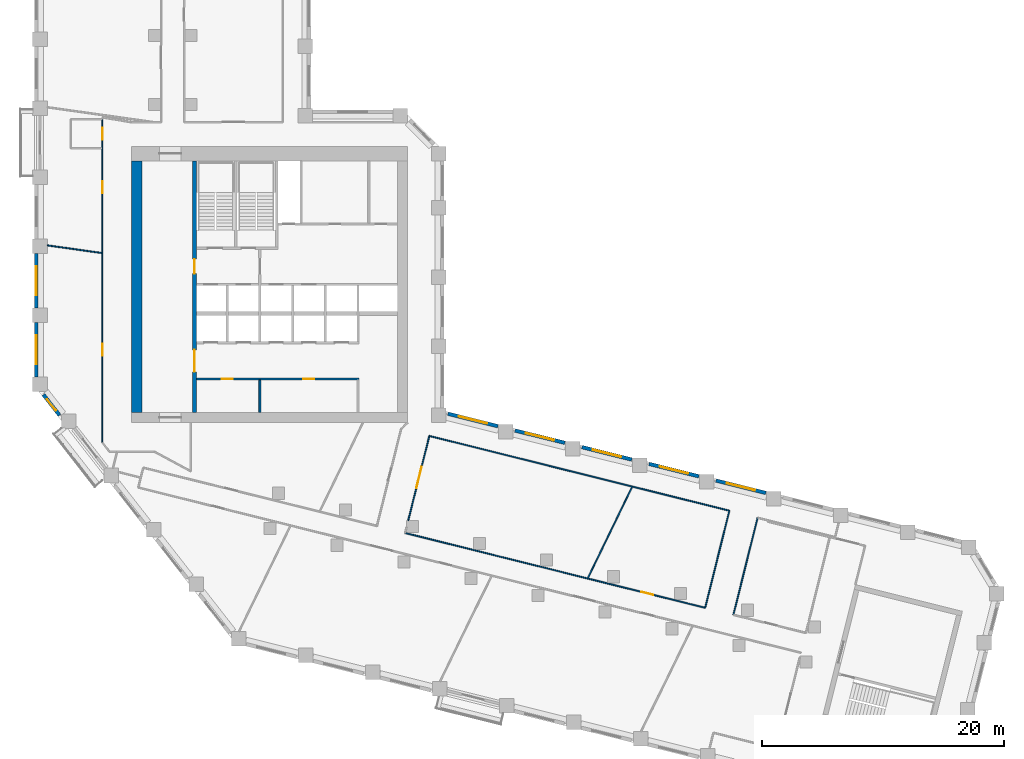
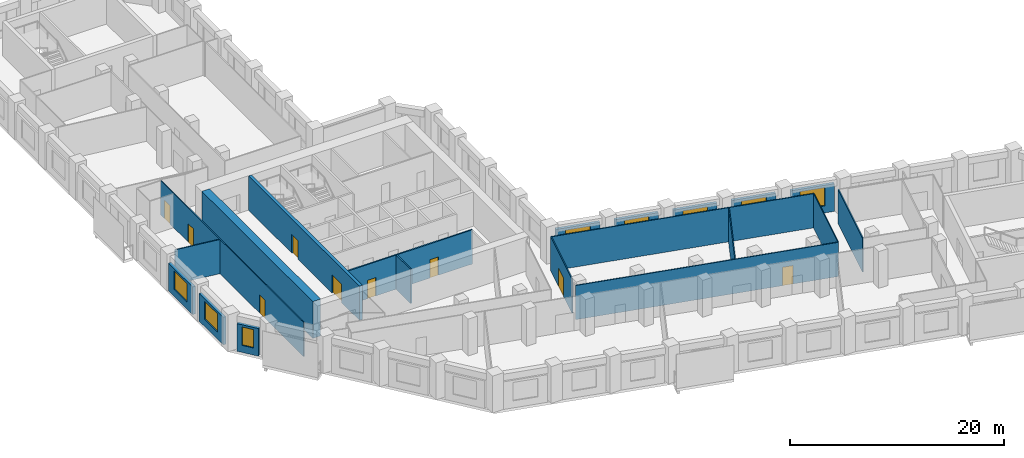
# One storey, part 4 of 10: 20 walls, 9 doors, 8 windows, 17 openings.
"""IFC4 building model written with IfcOpenShell, lengths in metres."""

import ifcopenshell
import ifcopenshell.guid

model = None  # the IFC model being written
_history = None  # IfcOwnerHistory: only IFC2X3 demands one
_inside = {}  # id of a spatial element -> (the spatial element, [elements in it])
_under = {}  # id of a project, library or spatial element -> (it, [spatial elements below it])
_declared = {}  # id of a project -> (the project, [libraries it declares])
_typed = {}  # id of a type object -> (the type object, [elements of that type])
_made_of = {}  # id of a material, layer set ... -> (it, [elements and type objects made of it])


def new_model(schema):
    """Start an empty IFC model of exactly this schema.

    Asked for "IFC4X3", IfcOpenShell would pick the latest addendum, in which some entities
    have other attributes; the version numbers below select the first issue.
    IFC2X3 requires an IfcOwnerHistory on every rooted entity: one is made here for all.
    """
    global model, _history
    if schema == "IFC4X3":
        model = ifcopenshell.file(schema_version=(4, 3, 0, 0))
    else:
        model = ifcopenshell.file(schema=schema)
    _inside.clear()
    _under.clear()
    _declared.clear()
    _typed.clear()
    _made_of.clear()
    _history = None
    if model.schema == "IFC2X3":
        org = make("IfcOrganization", Name="unknown")
        user = make(
            "IfcPersonAndOrganization",
            ThePerson=make("IfcPerson", FamilyName="unknown"),
            TheOrganization=org,
        )
        app = make(
            "IfcApplication",
            ApplicationDeveloper=org,
            Version="unknown",
            ApplicationFullName="unknown",
            ApplicationIdentifier="unknown",
        )
        _history = make(
            "IfcOwnerHistory",
            OwningUser=user,
            OwningApplication=app,
            ChangeAction="ADDED",
            CreationDate=0,
        )
    return model


def make(cls, **values):
    """One entity of the class cls with the attributes given. An attribute that is None is left unset."""
    return model.create_entity(
        cls, **{name: value for name, value in values.items() if value is not None}
    )


def rooted(cls, **values):
    """An entity with a GlobalId (a new one), such as an element, a storey or a relation."""
    return make(cls, GlobalId=ifcopenshell.guid.new(), OwnerHistory=_history, **values)


def si_unit(unit_type, name, prefix=None):
    """IfcSIUnit, for example si_unit("LENGTHUNIT", "METRE", prefix="MILLI")."""
    return make("IfcSIUnit", UnitType=unit_type, Prefix=prefix, Name=name)


def assignment(units):
    """IfcUnitAssignment: the units of a project."""
    return None if units is None else make("IfcUnitAssignment", Units=units)


def point(xyz):
    """IfcCartesianPoint."""
    return None if xyz is None else make("IfcCartesianPoint", Coordinates=xyz)


def direction(xyz):
    """IfcDirection."""
    return None if xyz is None else make("IfcDirection", DirectionRatios=xyz)


def frame(location, z_axis=None, x_axis=None):
    """IfcAxis2Placement3D, a coordinate frame: its origin and axes. An axis left out is left unset."""
    return make(
        "IfcAxis2Placement3D",
        Location=point(location),
        Axis=direction(z_axis),
        RefDirection=direction(x_axis),
    )


def frame_2d(location, x_axis=None):
    """IfcAxis2Placement2D, a coordinate frame in the plane: its origin and x axis."""
    return make(
        "IfcAxis2Placement2D", Location=point(location), RefDirection=direction(x_axis)
    )


def origin():
    """The frame at (0, 0, 0) with its axes left unset."""
    return frame((0.0, 0.0, 0.0))


def place(relative_to, where):
    """IfcLocalPlacement: puts the frame where relative to a parent placement (None: the world)."""
    return make(
        "IfcLocalPlacement", PlacementRelTo=relative_to, RelativePlacement=where
    )


def context(
    kind, dimensions, precision=None, world=None, true_north=None, identifier=None
):
    """IfcGeometricRepresentationContext, for example the 3D "Model" context."""
    return make(
        "IfcGeometricRepresentationContext",
        ContextIdentifier=identifier,
        ContextType=kind,
        CoordinateSpaceDimension=dimensions,
        Precision=precision,
        WorldCoordinateSystem=world,
        TrueNorth=true_north,
    )


def subcontext(parent, identifier, kind, view, scale=None):
    """IfcGeometricRepresentationSubContext, for example "Body" below "Model"."""
    return make(
        "IfcGeometricRepresentationSubContext",
        ContextIdentifier=identifier,
        ContextType=kind,
        ParentContext=parent,
        TargetScale=scale,
        TargetView=view,
    )


def project(units=None, contexts=None):
    """IfcProject with its units and contexts."""
    return rooted(
        "IfcProject",
        Name="project",
        RepresentationContexts=contexts,
        UnitsInContext=assignment(units),
    )


def spatial(cls, under=None, at=None, **own):
    """A site, building, storey or space (cls), placed at a placement, below another one or the project."""
    s = rooted(cls, ObjectPlacement=at, **own)
    if under is not None:
        _under.setdefault(under.id(), (under, []))[1].append(s)
    return s


def profile(cls, at=None, kind="AREA", **sizes):
    """A parametric profile (cls). Its sizes go by their IFC names, for example OverallWidth=200.0."""
    return make(cls, ProfileType=kind, Position=at, **sizes)


def rectangle(**sizes):
    """IfcRectangleProfileDef."""
    return profile("IfcRectangleProfileDef", **sizes)


def extrude(swept, where, along, depth):
    """IfcExtrudedAreaSolid: the profile swept, set in the frame where, extruded along a direction by depth."""
    return make(
        "IfcExtrudedAreaSolid",
        SweptArea=swept,
        Position=where,
        ExtrudedDirection=direction(along),
        Depth=depth,
    )


def shape(context_of_items, identifier, shape_type, items):
    """IfcShapeRepresentation: the items that make up one representation, for example the "Body"."""
    return make(
        "IfcShapeRepresentation",
        ContextOfItems=context_of_items,
        RepresentationIdentifier=identifier,
        RepresentationType=shape_type,
        Items=items,
    )


def material(Name=None, Category=None):
    """IfcMaterial."""
    return make("IfcMaterial", Name=Name, Category=Category)


def layer(
    of_material, thickness, ventilated=None, Name=None, Category=None, Priority=None
):
    """IfcMaterialLayer: one layer of a wall or slab, of a material (None: an air gap)."""
    return make(
        "IfcMaterialLayer",
        Material=of_material,
        LayerThickness=thickness,
        IsVentilated=ventilated,
        Name=Name,
        Category=Category,
        Priority=Priority,
    )


def layer_set(layers, Name=None):
    """IfcMaterialLayerSet."""
    return make("IfcMaterialLayerSet", MaterialLayers=layers, LayerSetName=Name)


def made_of(thing, what):
    """Note that an element or type object is made of a material, layer set ...; save() writes the relation."""
    if what is not None:
        _made_of.setdefault(what.id(), (what, []))[1].append(thing)
    return thing


def type_object(cls, material=None, **own):
    """A type object (cls), such as IfcWallType, which elements share."""
    return made_of(rooted(cls, **own), material)


def element(
    cls,
    number,
    at=None,
    inside=None,
    cuts=None,
    type_object=None,
    material=None,
    context=None,
    identifier="Body",
    shape_type=None,
    held_by="IfcProductDefinitionShape",
    body=None,
    shapes=None,
    **own,
):
    """One element of the class cls, such as IfcWall. Its Tag is "e" and its number.

    at: its placement. inside: the storey or other place that contains it. cuts: it is an
    opening in that element (IfcRelVoidsElement). A single representation is given by context,
    identifier, shape_type and body (its items); several are given by shapes. held_by: the class
    of the entity that holds the representations. save() writes the other relations.
    """
    e = rooted(cls, Tag="e%d" % number, ObjectPlacement=at, **own)
    if body is not None:
        shapes = [shape(context, identifier, shape_type, body)]
    if shapes is not None:
        e.Representation = make(held_by, Representations=shapes)
    if inside is not None:
        _inside.setdefault(inside.id(), (inside, []))[1].append(e)
    if cuts is not None:
        rooted(
            "IfcRelVoidsElement", RelatingBuildingElement=cuts, RelatedOpeningElement=e
        )
    if type_object is not None:
        _typed.setdefault(type_object.id(), (type_object, []))[1].append(e)
    return made_of(e, material)


def fill(opening, filler):
    """IfcRelFillsElement: the door or window that sits in an opening."""
    return rooted(
        "IfcRelFillsElement",
        RelatingOpeningElement=opening,
        RelatedBuildingElement=filler,
    )


def aggregate(whole, parts):
    """IfcRelAggregates: a whole, such as a stair, and the parts it consists of."""
    return rooted("IfcRelAggregates", RelatingObject=whole, RelatedObjects=parts)


def save(model, path):
    """Write the relations noted so far, then the file.

    IfcRelAggregates (storeys below a building ...), IfcRelContainedInSpatialStructure (elements
    in a storey), IfcRelDefinesByType, IfcRelAssociatesMaterial and IfcRelDeclares: one each for
    every whole, place, type object, material and project.
    """
    for whole, parts in _under.values():
        aggregate(whole, parts)
    for where, things in _inside.values():
        rooted(
            "IfcRelContainedInSpatialStructure",
            RelatedElements=things,
            RelatingStructure=where,
        )
    for kind, things in _typed.values():
        rooted("IfcRelDefinesByType", RelatedObjects=things, RelatingType=kind)
    for what, things in _made_of.values():
        rooted("IfcRelAssociatesMaterial", RelatedObjects=things, RelatingMaterial=what)
    for by, libraries in _declared.values():
        rooted("IfcRelDeclares", RelatingContext=by, RelatedDefinitions=libraries)
    model.write(path)


model = new_model("IFC4")

# Units and contexts
model_context = context("Model", 3, precision=1e-05, world=origin(), true_north=direction((0.0, 1.0)))
body_context = subcontext(model_context, "Body", "Model", "MODEL_VIEW")
ifc_project = project(units=[si_unit("LENGTHUNIT", "METRE"), si_unit("AREAUNIT", "SQUARE_METRE"), si_unit("VOLUMEUNIT", "CUBIC_METRE"), si_unit("PLANEANGLEUNIT", "RADIAN"), si_unit("MASSUNIT", "GRAM", prefix="KILO")], contexts=[model_context])

# Site, building, storey
site_placement = place(None, origin())
site = spatial("IfcSite", under=ifc_project, at=site_placement, CompositionType="ELEMENT")
building_placement = place(site_placement, origin())
building = spatial("IfcBuilding", under=site, at=building_placement, Name="Meshkara Civic Tower", CompositionType="ELEMENT")
storey_placement = place(building_placement, frame((0.0, 0.0, 190.800048828125)))
storey = spatial("IfcBuildingStorey", under=building, at=storey_placement, Name="L43", CompositionType="ELEMENT", Elevation=190.800048828125)

# Wall, openings, doors
ifc_material_1 = material(Name="Blockwork", Category="masonry")
ifc_layer_1 = layer(ifc_material_1, 0.14990234375)
ifc_layer_set_1 = layer_set([ifc_layer_1], Name="Core partition 150")
wall_type_1 = type_object("IfcWallType", Name="Core partition 150", PredefinedType="PARTITIONING", material=ifc_layer_set_1)
wall_1_placement = place(storey_placement, frame((13.3701171875, 17.699951171875, 0.0), z_axis=(0.0, 0.0, 1.0), x_axis=(1.0, 0.0, 0.0)))
wall_1 = element("IfcWall", 1, at=wall_1_placement, inside=storey, type_object=wall_type_1, Name="L43-C005", PredefinedType="PARTITIONING", context=body_context, shape_type="SweptSolid", body=[
    extrude(rectangle(XDim=13.40478515625, YDim=0.14990234375, at=frame_2d((6.702392578125, 0.0))), origin(), (0.0, 0.0, 1.0), 3.89990234375),
])
opening_1_placement = place(wall_1_placement, frame((2.080078125, 0.0, 0.0)))
opening_1 = element("IfcOpeningElement", 2, at=opening_1_placement, cuts=wall_1, Name="Opening L43-K010", PredefinedType="OPENING", context=body_context, shape_type="SweptSolid", body=[
    extrude(rectangle(XDim=0.89990234375, YDim=2.10009765625, at=frame_2d((0.449951171875, 1.050048828125))), frame((0.0, 0.0849609375, 0.0), z_axis=(0.0, -1.0, 0.0), x_axis=(1.0, 0.0, 0.0)), (0.0, 0.0, 1.0), 0.169921875),
])
opening_2_placement = place(wall_1_placement, frame((8.830078125, 0.0, 0.0)))
opening_2 = element("IfcOpeningElement", 3, at=opening_2_placement, cuts=wall_1, Name="Opening L43-K011", PredefinedType="OPENING", context=body_context, shape_type="SweptSolid", body=[
    extrude(rectangle(XDim=0.89990234375, YDim=2.10009765625, at=frame_2d((0.449951171875, 1.050048828125))), frame((0.0, 0.0849609375, 0.0), z_axis=(0.0, -1.0, 0.0), x_axis=(1.0, 0.0, 0.0)), (0.0, 0.0, 1.0), 0.169921875),
])
ifc_material_2 = material(Name="Timber door leaf in steel frame", Category="steel")
door_type_1 = type_object("IfcDoorType", Name="Core room door 900", OperationType="SINGLE_SWING_LEFT", PredefinedType="DOOR", material=ifc_material_2)
door_1_placement = place(opening_1_placement, origin())
door_1 = element("IfcDoor", 4, at=door_1_placement, inside=storey, type_object=door_type_1, Name="L43-K010", OperationType="SINGLE_SWING_LEFT", OverallHeight=2.10009765625, OverallWidth=0.89990234375, PredefinedType="DOOR", context=body_context, shape_type="SweptSolid", body=[
    extrude(rectangle(XDim=0.89990234375, YDim=2.10009765625, at=frame_2d((0.449951171875, 1.050048828125))), frame((0.0, 0.02490234375, 0.0), z_axis=(0.0, -1.0, 0.0), x_axis=(1.0, 0.0, 0.0)), (0.0, 0.0, 1.0), 0.050048828125),
])
fill(opening_1, door_1)
door_2_placement = place(opening_2_placement, origin())
door_2 = element("IfcDoor", 5, at=door_2_placement, inside=storey, type_object=door_type_1, Name="L43-K011", OperationType="SINGLE_SWING_LEFT", OverallHeight=2.10009765625, OverallWidth=0.89990234375, PredefinedType="DOOR", context=body_context, shape_type="SweptSolid", body=[
    extrude(rectangle(XDim=0.89990234375, YDim=2.10009765625, at=frame_2d((0.449951171875, 1.050048828125))), frame((0.0, 0.02490234375, 0.0), z_axis=(0.0, -1.0, 0.0), x_axis=(1.0, 0.0, 0.0)), (0.0, 0.0, 1.0), 0.050048828125),
])
fill(opening_2, door_2)

# Walls
wall_2_placement = place(storey_placement, frame((18.60009765625, 14.949951171875, 0.0), z_axis=(0.0, 0.0, 1.0), x_axis=(0.0, 1.0, 0.0)))
element("IfcWall", 6, at=wall_2_placement, inside=storey, type_object=wall_type_1, Name="L43-C014", PredefinedType="PARTITIONING", context=body_context, shape_type="SweptSolid", body=[
    extrude(rectangle(XDim=2.675048828125, YDim=0.14990234375, at=frame_2d((1.33740234375, 0.0))), origin(), (0.0, 0.0, 1.0), 3.89990234375),
])
ifc_material_3 = material(Name="Concrete C70", Category="concrete")
ifc_layer_2 = layer(ifc_material_3, 0.85009765625)
ifc_layer_set_2 = layer_set([ifc_layer_2], Name="Core ring wall 850 C70")
wall_type_2 = type_object("IfcWallType", Name="Core ring wall 850 C70", PredefinedType="SHEAR", material=ifc_layer_set_2)
wall_3_placement = place(storey_placement, frame((8.425048828125, 14.949951171875, -0.300048828125), z_axis=(0.0, 0.0, 1.0), x_axis=(0.0, 1.0, 0.0)))
element("IfcWall", 7, at=wall_3_placement, inside=storey, type_object=wall_type_2, Name="L43-C003", PredefinedType="SHEAR", context=body_context, shape_type="SweptSolid", body=[
    extrude(rectangle(XDim=20.75, YDim=0.85009765625, at=frame_2d((10.375, 0.0))), origin(), (0.0, 0.0, 1.0), 4.199951171875),
])

# Wall, openings, doors
ifc_material_4 = material(Name="Concrete C70", Category="concrete")
ifc_layer_3 = layer(ifc_material_4, 0.340087890625)
ifc_layer_set_3 = layer_set([ifc_layer_3], Name="Core shear wall 340 C70")
wall_type_3 = type_object("IfcWallType", Name="Core shear wall 340 C70", PredefinedType="SHEAR", material=ifc_layer_set_3)
wall_4_placement = place(storey_placement, frame((13.199951171875, 14.949951171875, 0.0), z_axis=(0.0, 0.0, 1.0), x_axis=(0.0, 1.0, 0.0)))
wall_4 = element("IfcWall", 8, at=wall_4_placement, inside=storey, type_object=wall_type_3, Name="L43-C011", PredefinedType="SHEAR", context=body_context, shape_type="SweptSolid", body=[
    extrude(rectangle(XDim=20.75, YDim=0.340087890625, at=frame_2d((10.375, 0.0))), origin(), (0.0, 0.0, 1.0), 3.89990234375),
])
opening_3_placement = place(wall_4_placement, frame((3.35009765625, 0.0, 0.0)))
opening_3 = element("IfcOpeningElement", 9, at=opening_3_placement, cuts=wall_4, Name="Opening L43-K017", PredefinedType="OPENING", context=body_context, shape_type="SweptSolid", body=[
    extrude(rectangle(XDim=1.800048828125, YDim=2.10009765625, at=frame_2d((0.89990234375, 1.050048828125))), frame((0.0, 0.179931640625, 0.0), z_axis=(0.0, -1.0, 0.0), x_axis=(1.0, 0.0, 0.0)), (0.0, 0.0, 1.0), 0.360107421875),
])
opening_4_placement = place(wall_4_placement, frame((11.449951171875, 0.0, 0.0)))
opening_4 = element("IfcOpeningElement", 10, at=opening_4_placement, cuts=wall_4, Name="Opening L43-K018", PredefinedType="OPENING", context=body_context, shape_type="SweptSolid", body=[
    extrude(rectangle(XDim=1.199951171875, YDim=2.10009765625, at=frame_2d((0.60009765625, 1.050048828125))), frame((0.0, 0.179931640625, 0.0), z_axis=(0.0, -1.0, 0.0), x_axis=(1.0, 0.0, 0.0)), (0.0, 0.0, 1.0), 0.360107421875),
])
ifc_material_5 = material(Name="Fire-rated door leaf in steel frame", Category="steel")
door_type_2 = type_object("IfcDoorType", Name="Core double door 1800 EI 60", OperationType="DOUBLE_DOOR_SINGLE_SWING", PredefinedType="DOOR", material=ifc_material_5)
door_3_placement = place(opening_3_placement, origin())
door_3 = element("IfcDoor", 11, at=door_3_placement, inside=storey, type_object=door_type_2, Name="L43-K017", OperationType="DOUBLE_DOOR_SINGLE_SWING", OverallHeight=2.10009765625, OverallWidth=1.800048828125, PredefinedType="DOOR", context=body_context, shape_type="SweptSolid", body=[
    extrude(rectangle(XDim=1.800048828125, YDim=2.10009765625, at=frame_2d((0.89990234375, 1.050048828125))), frame((0.0, 0.02490234375, 0.0), z_axis=(0.0, -1.0, 0.0), x_axis=(1.0, 0.0, 0.0)), (0.0, 0.0, 1.0), 0.050048828125),
])
fill(opening_3, door_3)
ifc_material_6 = material(Name="Fire-rated door leaf in steel frame", Category="steel")
door_type_3 = type_object("IfcDoorType", Name="Fire-fighting lobby door 1200 EI 120", OperationType="SINGLE_SWING_LEFT", PredefinedType="DOOR", material=ifc_material_6)
door_4_placement = place(opening_4_placement, origin())
door_4 = element("IfcDoor", 12, at=door_4_placement, inside=storey, type_object=door_type_3, Name="L43-K018", OperationType="SINGLE_SWING_LEFT", OverallHeight=2.10009765625, OverallWidth=1.199951171875, PredefinedType="DOOR", context=body_context, shape_type="SweptSolid", body=[
    extrude(rectangle(XDim=1.199951171875, YDim=2.10009765625, at=frame_2d((0.60009765625, 1.050048828125))), frame((0.0, 0.02490234375, 0.0), z_axis=(0.0, -1.0, 0.0), x_axis=(1.0, 0.0, 0.0)), (0.0, 0.0, 1.0), 0.050048828125),
])
fill(opening_4, door_4)

ifc_material_7 = material(Name="Corridor wall 100")
ifc_layer_4 = layer(ifc_material_7, 0.10009765625)
ifc_layer_set_4 = layer_set([ifc_layer_4], Name="Corridor wall 100")
wall_type_4 = type_object("IfcWallType", Name="Corridor wall 100", PredefinedType="PARTITIONING", material=ifc_layer_set_4)
wall_5_placement = place(storey_placement, frame((5.60009765625, 12.450927734375, 0.0), z_axis=(0.0, 0.0, 1.0), x_axis=(0.0, 1.0, 0.0)))
wall_5 = element("IfcWall", 13, at=wall_5_placement, inside=storey, type_object=wall_type_4, Name="L43-W003", PredefinedType="PARTITIONING", context=body_context, shape_type="SweptSolid", body=[
    extrude(rectangle(XDim=26.698974609375, YDim=0.10009765625, at=frame_2d((13.349609375, 0.0))), origin(), (0.0, 0.0, 1.0), 3.89990234375),
])
opening_5_placement = place(wall_5_placement, frame((7.169921875, 0.0, 0.0)))
opening_5 = element("IfcOpeningElement", 14, at=opening_5_placement, cuts=wall_5, Name="Opening L43-D014", PredefinedType="OPENING", context=body_context, shape_type="SweptSolid", body=[
    extrude(rectangle(XDim=1.0, YDim=2.10009765625, at=frame_2d((0.5, 1.050048828125))), frame((0.0, 0.06005859375, 0.0), z_axis=(0.0, -1.0, 0.0), x_axis=(1.0, 0.0, 0.0)), (0.0, 0.0, 1.0), 0.1201171875),
])
opening_6_placement = place(wall_5_placement, frame((20.569091796875, 0.0, 0.0)))
opening_6 = element("IfcOpeningElement", 15, at=opening_6_placement, cuts=wall_5, Name="Opening L43-D015", PredefinedType="OPENING", context=body_context, shape_type="SweptSolid", body=[
    extrude(rectangle(XDim=1.0, YDim=2.10009765625, at=frame_2d((0.5, 1.050048828125))), frame((0.0, 0.06005859375, 0.0), z_axis=(0.0, -1.0, 0.0), x_axis=(1.0, 0.0, 0.0)), (0.0, 0.0, 1.0), 0.1201171875),
])
opening_7_placement = place(wall_5_placement, frame((24.97900390625, 0.0, 0.0)))
opening_7 = element("IfcOpeningElement", 16, at=opening_7_placement, cuts=wall_5, Name="Opening L43-D016", PredefinedType="OPENING", context=body_context, shape_type="SweptSolid", body=[
    extrude(rectangle(XDim=1.0, YDim=2.10009765625, at=frame_2d((0.5, 1.050048828125))), frame((0.0, 0.06005859375, 0.0), z_axis=(0.0, -1.0, 0.0), x_axis=(1.0, 0.0, 0.0)), (0.0, 0.0, 1.0), 0.1201171875),
])
ifc_material_8 = material(Name="Door 1000 x 2100")
door_type_4 = type_object("IfcDoorType", Name="Door 1000 x 2100", OperationType="SINGLE_SWING_LEFT", PredefinedType="DOOR", material=ifc_material_8)
door_5_placement = place(opening_5_placement, origin())
door_5 = element("IfcDoor", 17, at=door_5_placement, inside=storey, type_object=door_type_4, Name="L43-D014", OperationType="SINGLE_SWING_LEFT", OverallHeight=2.10009765625, OverallWidth=1.0, PredefinedType="DOOR", context=body_context, shape_type="SweptSolid", body=[
    extrude(rectangle(XDim=1.0, YDim=2.10009765625, at=frame_2d((0.5, 1.050048828125))), frame((0.0, 0.02490234375, 0.0), z_axis=(0.0, -1.0, 0.0), x_axis=(1.0, 0.0, 0.0)), (0.0, 0.0, 1.0), 0.050048828125),
])
fill(opening_5, door_5)
door_6_placement = place(opening_6_placement, origin())
door_6 = element("IfcDoor", 18, at=door_6_placement, inside=storey, type_object=door_type_4, Name="L43-D015", OperationType="SINGLE_SWING_LEFT", OverallHeight=2.10009765625, OverallWidth=1.0, PredefinedType="DOOR", context=body_context, shape_type="SweptSolid", body=[
    extrude(rectangle(XDim=1.0, YDim=2.10009765625, at=frame_2d((0.5, 1.050048828125))), frame((0.0, 0.02490234375, 0.0), z_axis=(0.0, -1.0, 0.0), x_axis=(1.0, 0.0, 0.0)), (0.0, 0.0, 1.0), 0.050048828125),
])
fill(opening_6, door_6)
door_7_placement = place(opening_7_placement, origin())
door_7 = element("IfcDoor", 19, at=door_7_placement, inside=storey, type_object=door_type_4, Name="L43-D016", OperationType="SINGLE_SWING_LEFT", OverallHeight=2.10009765625, OverallWidth=1.0, PredefinedType="DOOR", context=body_context, shape_type="SweptSolid", body=[
    extrude(rectangle(XDim=1.0, YDim=2.10009765625, at=frame_2d((0.5, 1.050048828125))), frame((0.0, 0.02490234375, 0.0), z_axis=(0.0, -1.0, 0.0), x_axis=(1.0, 0.0, 0.0)), (0.0, 0.0, 1.0), 0.050048828125),
])
fill(opening_7, door_7)

# Wall, opening, door
wall_6_placement = place(storey_placement, frame((30.590087890625, 4.991943359375, 0.0), z_axis=(0.0, 0.0, 1.0), x_axis=(0.97028916255, -0.241948219746, 0.0)))
wall_6 = element("IfcWall", 20, at=wall_6_placement, inside=storey, type_object=wall_type_4, Name="L43-W024", PredefinedType="PARTITIONING", context=body_context, shape_type="SweptSolid", body=[
    extrude(rectangle(XDim=25.526123046875, YDim=0.10009765625, at=frame_2d((12.76318359375, 0.0))), origin(), (0.0, 0.0, 1.0), 3.89990234375),
])
opening_8_placement = place(wall_6_placement, frame((20.10107421875, 0.0, 0.0)))
opening_8 = element("IfcOpeningElement", 21, at=opening_8_placement, cuts=wall_6, Name="Opening L43-D008", PredefinedType="OPENING", context=body_context, shape_type="SweptSolid", body=[
    extrude(rectangle(XDim=1.0, YDim=2.10009765625, at=frame_2d((0.5, 1.050048828125))), frame((0.0, 0.06005859375, 0.0), z_axis=(0.0, -1.0, 0.0), x_axis=(1.0, 0.0, 0.0)), (0.0, 0.0, 1.0), 0.1201171875),
])
door_8_placement = place(opening_8_placement, origin())
door_8 = element("IfcDoor", 22, at=door_8_placement, inside=storey, type_object=door_type_4, Name="L43-D008", OperationType="SINGLE_SWING_RIGHT", OverallHeight=2.10009765625, OverallWidth=1.0, PredefinedType="DOOR", context=body_context, shape_type="SweptSolid", body=[
    extrude(rectangle(XDim=1.0, YDim=2.10009765625, at=frame_2d((0.5, 1.050048828125))), frame((0.0, 0.02490234375, 0.0), z_axis=(0.0, -1.0, 0.0), x_axis=(1.0, 0.0, 0.0)), (0.0, 0.0, 1.0), 0.050048828125),
])
fill(opening_8, door_8)

wall_7_placement = place(storey_placement, frame((30.844970703125, 6.012939453125, 0.0), z_axis=(0.0, 0.0, 1.0), x_axis=(0.241969354343, 0.97028389225, 0.0)))
wall_7 = element("IfcWall", 23, at=wall_7_placement, inside=storey, type_object=wall_type_4, Name="L43-W027", PredefinedType="PARTITIONING", context=body_context, shape_type="SweptSolid", body=[
    extrude(rectangle(XDim=7.203125, YDim=0.10009765625, at=frame_2d((3.6015625, 0.0))), origin(), (0.0, 0.0, 1.0), 3.89990234375),
])
opening_9_placement = place(wall_7_placement, frame((2.780029296875, 0.0, 0.0)))
opening_9 = element("IfcOpeningElement", 24, at=opening_9_placement, cuts=wall_7, Name="Opening L43-D013", PredefinedType="OPENING", context=body_context, shape_type="SweptSolid", body=[
    extrude(rectangle(XDim=1.800048828125, YDim=2.10009765625, at=frame_2d((0.89990234375, 1.050048828125))), frame((0.0, 0.06005859375, 0.0), z_axis=(0.0, -1.0, 0.0), x_axis=(1.0, 0.0, 0.0)), (0.0, 0.0, 1.0), 0.1201171875),
])
ifc_material_9 = material(Name="Door pair 1800 x 2100")
door_type_5 = type_object("IfcDoorType", Name="Door pair 1800 x 2100", OperationType="SINGLE_SWING_LEFT", PredefinedType="DOOR", material=ifc_material_9)
door_9_placement = place(opening_9_placement, origin())
door_9 = element("IfcDoor", 25, at=door_9_placement, inside=storey, type_object=door_type_5, Name="L43-D013", OperationType="DOUBLE_DOOR_SINGLE_SWING", OverallHeight=2.10009765625, OverallWidth=1.800048828125, PredefinedType="DOOR", context=body_context, shape_type="SweptSolid", body=[
    extrude(rectangle(XDim=1.800048828125, YDim=2.10009765625, at=frame_2d((0.89990234375, 1.050048828125))), frame((0.0, 0.02490234375, 0.0), z_axis=(0.0, -1.0, 0.0), x_axis=(1.0, 0.0, 0.0)), (0.0, 0.0, 1.0), 0.050048828125),
])
fill(opening_9, door_9)

# Walls
wall_8_placement = place(storey_placement, frame((32.587890625, 13.001953125, 0.0), z_axis=(0.0, 0.0, 1.0), x_axis=(0.970296463981, -0.241918936808, 0.0)))
element("IfcWall", 26, at=wall_8_placement, inside=storey, type_object=wall_type_4, Name="L43-W028", PredefinedType="PARTITIONING", context=body_context, shape_type="SweptSolid", body=[
    extrude(rectangle(XDim=25.525390625, YDim=0.10009765625, at=frame_2d((12.7626953125, 0.0))), origin(), (0.0, 0.0, 1.0), 3.89990234375),
])
wall_9_placement = place(storey_placement, frame((57.35498046875, 6.826904296875, 0.0), z_axis=(0.0, 0.0, 1.0), x_axis=(-0.241888494143, -0.970304053584, 0.0)))
element("IfcWall", 27, at=wall_9_placement, inside=storey, type_object=wall_type_4, Name="L43-W029", PredefinedType="PARTITIONING", context=body_context, shape_type="SweptSolid", body=[
    extrude(rectangle(XDim=8.256103515625, YDim=0.10009765625, at=frame_2d((4.1279296875, 0.0))), origin(), (0.0, 0.0, 1.0), 3.89990234375),
])
wall_10_placement = place(storey_placement, frame((57.68701171875, -1.763916015625, 0.0), z_axis=(0.0, 0.0, 1.0), x_axis=(0.24191625886, 0.970297131656, 0.0)))
element("IfcWall", 28, at=wall_10_placement, inside=storey, type_object=wall_type_4, Name="L43-W030", PredefinedType="PARTITIONING", context=body_context, shape_type="SweptSolid", body=[
    extrude(rectangle(XDim=8.255126953125, YDim=0.10009765625, at=frame_2d((4.12744140625, 0.0))), origin(), (0.0, 0.0, 1.0), 3.89990234375),
])

# Wall, opening, window
ifc_material_10 = material(Name="Insulated infill panel with bronze anodised aluminium cladding", Category="aluminium")
ifc_layer_5 = layer(ifc_material_10, 0.300048828125)
ifc_layer_set_5 = layer_set([ifc_layer_5], Name="EXTERNAL INFILL WALL 300")
wall_type_5 = type_object("IfcWallType", Name="EXTERNAL INFILL WALL 300", PredefinedType="SOLIDWALL", material=ifc_layer_set_5)
wall_11_placement = place(storey_placement, frame((60.3701171875, 8.291015625, 0.0), z_axis=(0.0, 0.0, 1.0), x_axis=(-0.970291164166, 0.241940192487, 0.0)))
wall_11 = element("IfcWall", 29, at=wall_11_placement, inside=storey, type_object=wall_type_5, Name="External wall", PredefinedType="SOLIDWALL", context=body_context, shape_type="SweptSolid", body=[
    extrude(rectangle(XDim=4.245361328125, YDim=0.300048828125, at=frame_2d((2.12255859375, 0.0))), origin(), (0.0, 0.0, 1.0), 3.14990234375),
])
opening_10_placement = place(wall_11_placement, frame((0.922119140625, 0.0, 0.800048828125)))
opening_10 = element("IfcOpeningElement", 30, at=opening_10_placement, cuts=wall_11, Name="Opening W7", PredefinedType="OPENING", context=body_context, shape_type="SweptSolid", body=[
    extrude(rectangle(XDim=2.39990234375, YDim=2.10009765625, at=frame_2d((1.199951171875, 1.050048828125))), frame((0.0, 0.159912109375, 0.0), z_axis=(0.0, -1.0, 0.0), x_axis=(1.0, 0.0, 0.0)), (0.0, 0.0, 1.0), 0.320068359375),
])
ifc_material_11 = material(Name="Tinted double glazing", Category="glass")
window_type_1 = type_object("IfcWindowType", Name="WINDOW 2400x2100", PartitioningType="DOUBLE_PANEL_VERTICAL", PredefinedType="WINDOW", material=ifc_material_11)
window_1_placement = place(opening_10_placement, origin())
window_1 = element("IfcWindow", 31, at=window_1_placement, inside=storey, type_object=window_type_1, Name="Window", OverallHeight=2.10009765625, OverallWidth=2.39990234375, PartitioningType="DOUBLE_PANEL_VERTICAL", PredefinedType="WINDOW", context=body_context, shape_type="SweptSolid", body=[
    extrude(rectangle(XDim=2.39990234375, YDim=2.10009765625, at=frame_2d((1.199951171875, 1.050048828125))), frame((0.0, 0.030029296875, 0.0), z_axis=(0.0, -1.0, 0.0), x_axis=(1.0, 0.0, 0.0)), (0.0, 0.0, 1.0), 0.06005859375),
])
fill(opening_10, window_1)

wall_12_placement = place(storey_placement, frame((54.840087890625, 9.669921875, 0.0), z_axis=(0.0, 0.0, 1.0), x_axis=(-0.97030462482, 0.241886202691, 0.0)))
wall_12 = element("IfcWall", 32, at=wall_12_placement, inside=storey, type_object=wall_type_5, Name="External wall", PredefinedType="SOLIDWALL", context=body_context, shape_type="SweptSolid", body=[
    extrude(rectangle(XDim=4.24609375, YDim=0.300048828125, at=frame_2d((2.123046875, 0.0))), origin(), (0.0, 0.0, 1.0), 3.14990234375),
])
opening_11_placement = place(wall_12_placement, frame((0.923095703125, 0.0, 0.800048828125)))
opening_11 = element("IfcOpeningElement", 33, at=opening_11_placement, cuts=wall_12, Name="Opening W7", PredefinedType="OPENING", context=body_context, shape_type="SweptSolid", body=[
    extrude(rectangle(XDim=2.39990234375, YDim=2.10009765625, at=frame_2d((1.199951171875, 1.050048828125))), frame((0.0, 0.159912109375, 0.0), z_axis=(0.0, -1.0, 0.0), x_axis=(1.0, 0.0, 0.0)), (0.0, 0.0, 1.0), 0.320068359375),
])
window_2_placement = place(opening_11_placement, origin())
window_2 = element("IfcWindow", 34, at=window_2_placement, inside=storey, type_object=window_type_1, Name="Window", OverallHeight=2.10009765625, OverallWidth=2.39990234375, PartitioningType="DOUBLE_PANEL_VERTICAL", PredefinedType="WINDOW", context=body_context, shape_type="SweptSolid", body=[
    extrude(rectangle(XDim=2.39990234375, YDim=2.10009765625, at=frame_2d((1.199951171875, 1.050048828125))), frame((0.0, 0.030029296875, 0.0), z_axis=(0.0, -1.0, 0.0), x_axis=(1.0, 0.0, 0.0)), (0.0, 0.0, 1.0), 0.06005859375),
])
fill(opening_11, window_2)

wall_13_placement = place(storey_placement, frame((49.30908203125, 11.049072265625, 0.0), z_axis=(0.0, 0.0, 1.0), x_axis=(-0.970264129329, 0.242048588793, 0.0)))
wall_13 = element("IfcWall", 35, at=wall_13_placement, inside=storey, type_object=wall_type_5, Name="External wall", PredefinedType="SOLIDWALL", context=body_context, shape_type="SweptSolid", body=[
    extrude(rectangle(XDim=4.246337890625, YDim=0.300048828125, at=frame_2d((2.123046875, 0.0))), origin(), (0.0, 0.0, 1.0), 3.14990234375),
])
opening_12_placement = place(wall_13_placement, frame((0.923095703125, 0.0, 0.800048828125)))
opening_12 = element("IfcOpeningElement", 36, at=opening_12_placement, cuts=wall_13, Name="Opening W7", PredefinedType="OPENING", context=body_context, shape_type="SweptSolid", body=[
    extrude(rectangle(XDim=2.39990234375, YDim=2.10009765625, at=frame_2d((1.199951171875, 1.050048828125))), frame((0.0, 0.159912109375, 0.0), z_axis=(0.0, -1.0, 0.0), x_axis=(1.0, 0.0, 0.0)), (0.0, 0.0, 1.0), 0.320068359375),
])
window_3_placement = place(opening_12_placement, origin())
window_3 = element("IfcWindow", 37, at=window_3_placement, inside=storey, type_object=window_type_1, Name="Window", OverallHeight=2.10009765625, OverallWidth=2.39990234375, PartitioningType="DOUBLE_PANEL_VERTICAL", PredefinedType="WINDOW", context=body_context, shape_type="SweptSolid", body=[
    extrude(rectangle(XDim=2.39990234375, YDim=2.10009765625, at=frame_2d((1.199951171875, 1.050048828125))), frame((0.0, 0.030029296875, 0.0), z_axis=(0.0, -1.0, 0.0), x_axis=(1.0, 0.0, 0.0)), (0.0, 0.0, 1.0), 0.06005859375),
])
fill(opening_12, window_3)

wall_14_placement = place(storey_placement, frame((43.778076171875, 12.427978515625, 0.0), z_axis=(0.0, 0.0, 1.0), x_axis=(-0.970291164166, 0.241940192487, 0.0)))
wall_14 = element("IfcWall", 38, at=wall_14_placement, inside=storey, type_object=wall_type_5, Name="External wall", PredefinedType="SOLIDWALL", context=body_context, shape_type="SweptSolid", body=[
    extrude(rectangle(XDim=4.245361328125, YDim=0.300048828125, at=frame_2d((2.12255859375, 0.0))), origin(), (0.0, 0.0, 1.0), 3.14990234375),
])
opening_13_placement = place(wall_14_placement, frame((0.922119140625, 0.0, 0.800048828125)))
opening_13 = element("IfcOpeningElement", 39, at=opening_13_placement, cuts=wall_14, Name="Opening W7", PredefinedType="OPENING", context=body_context, shape_type="SweptSolid", body=[
    extrude(rectangle(XDim=2.39990234375, YDim=2.10009765625, at=frame_2d((1.199951171875, 1.050048828125))), frame((0.0, 0.159912109375, 0.0), z_axis=(0.0, -1.0, 0.0), x_axis=(1.0, 0.0, 0.0)), (0.0, 0.0, 1.0), 0.320068359375),
])
window_4_placement = place(opening_13_placement, origin())
window_4 = element("IfcWindow", 40, at=window_4_placement, inside=storey, type_object=window_type_1, Name="Window", OverallHeight=2.10009765625, OverallWidth=2.39990234375, PartitioningType="DOUBLE_PANEL_VERTICAL", PredefinedType="WINDOW", context=body_context, shape_type="SweptSolid", body=[
    extrude(rectangle(XDim=2.39990234375, YDim=2.10009765625, at=frame_2d((1.199951171875, 1.050048828125))), frame((0.0, 0.030029296875, 0.0), z_axis=(0.0, -1.0, 0.0), x_axis=(1.0, 0.0, 0.0)), (0.0, 0.0, 1.0), 0.06005859375),
])
fill(opening_13, window_4)

wall_15_placement = place(storey_placement, frame((38.248046875, 13.806884765625, 0.0), z_axis=(0.0, 0.0, 1.0), x_axis=(-0.970250625545, 0.242102712975, 0.0)))
wall_15 = element("IfcWall", 41, at=wall_15_placement, inside=storey, type_object=wall_type_5, Name="External wall", PredefinedType="SOLIDWALL", context=body_context, shape_type="SweptSolid", body=[
    extrude(rectangle(XDim=4.246337890625, YDim=0.300048828125, at=frame_2d((2.123046875, 0.0))), origin(), (0.0, 0.0, 1.0), 3.14990234375),
])
opening_14_placement = place(wall_15_placement, frame((0.923095703125, 0.0, 0.800048828125)))
opening_14 = element("IfcOpeningElement", 42, at=opening_14_placement, cuts=wall_15, Name="Opening W7", PredefinedType="OPENING", context=body_context, shape_type="SweptSolid", body=[
    extrude(rectangle(XDim=2.39990234375, YDim=2.10009765625, at=frame_2d((1.199951171875, 1.050048828125))), frame((0.0, 0.159912109375, 0.0), z_axis=(0.0, -1.0, 0.0), x_axis=(1.0, 0.0, 0.0)), (0.0, 0.0, 1.0), 0.320068359375),
])
window_5_placement = place(opening_14_placement, origin())
window_5 = element("IfcWindow", 43, at=window_5_placement, inside=storey, type_object=window_type_1, Name="Window", OverallHeight=2.10009765625, OverallWidth=2.39990234375, PartitioningType="DOUBLE_PANEL_VERTICAL", PredefinedType="WINDOW", context=body_context, shape_type="SweptSolid", body=[
    extrude(rectangle(XDim=2.39990234375, YDim=2.10009765625, at=frame_2d((1.199951171875, 1.050048828125))), frame((0.0, 0.030029296875, 0.0), z_axis=(0.0, -1.0, 0.0), x_axis=(1.0, 0.0, 0.0)), (0.0, 0.0, 1.0), 0.06005859375),
])
fill(opening_14, window_5)

wall_16_placement = place(storey_placement, frame((0.14990234375, 28.054931640625, 0.0), z_axis=(0.0, 0.0, 1.0), x_axis=(0.0, -1.0, 0.0)))
wall_16 = element("IfcWall", 44, at=wall_16_placement, inside=storey, type_object=wall_type_5, Name="External wall", PredefinedType="SOLIDWALL", context=body_context, shape_type="SweptSolid", body=[
    extrude(rectangle(XDim=4.5, YDim=0.300048828125, at=frame_2d((2.25, 0.0))), origin(), (0.0, 0.0, 1.0), 3.14990234375),
])
opening_15_placement = place(wall_16_placement, frame((1.050048828125, 0.0, 0.800048828125)))
opening_15 = element("IfcOpeningElement", 45, at=opening_15_placement, cuts=wall_16, Name="Opening W7", PredefinedType="OPENING", context=body_context, shape_type="SweptSolid", body=[
    extrude(rectangle(XDim=2.39990234375, YDim=2.10009765625, at=frame_2d((1.199951171875, 1.050048828125))), frame((0.0, 0.159912109375, 0.0), z_axis=(0.0, -1.0, 0.0), x_axis=(1.0, 0.0, 0.0)), (0.0, 0.0, 1.0), 0.320068359375),
])
window_6_placement = place(opening_15_placement, origin())
window_6 = element("IfcWindow", 46, at=window_6_placement, inside=storey, type_object=window_type_1, Name="Window", OverallHeight=2.10009765625, OverallWidth=2.39990234375, PartitioningType="DOUBLE_PANEL_VERTICAL", PredefinedType="WINDOW", context=body_context, shape_type="SweptSolid", body=[
    extrude(rectangle(XDim=2.39990234375, YDim=2.10009765625, at=frame_2d((1.199951171875, 1.050048828125))), frame((0.0, 0.030029296875, 0.0), z_axis=(0.0, -1.0, 0.0), x_axis=(1.0, 0.0, 0.0)), (0.0, 0.0, 1.0), 0.06005859375),
])
fill(opening_15, window_6)

wall_17_placement = place(storey_placement, frame((0.14990234375, 22.35498046875, 0.0), z_axis=(0.0, 0.0, 1.0), x_axis=(0.0, -1.0, 0.0)))
wall_17 = element("IfcWall", 47, at=wall_17_placement, inside=storey, type_object=wall_type_5, Name="External wall", PredefinedType="SOLIDWALL", context=body_context, shape_type="SweptSolid", body=[
    extrude(rectangle(XDim=4.5, YDim=0.300048828125, at=frame_2d((2.25, 0.0))), origin(), (0.0, 0.0, 1.0), 3.14990234375),
])
opening_16_placement = place(wall_17_placement, frame((1.050048828125, 0.0, 0.800048828125)))
opening_16 = element("IfcOpeningElement", 48, at=opening_16_placement, cuts=wall_17, Name="Opening W7", PredefinedType="OPENING", context=body_context, shape_type="SweptSolid", body=[
    extrude(rectangle(XDim=2.39990234375, YDim=2.10009765625, at=frame_2d((1.199951171875, 1.050048828125))), frame((0.0, 0.159912109375, 0.0), z_axis=(0.0, -1.0, 0.0), x_axis=(1.0, 0.0, 0.0)), (0.0, 0.0, 1.0), 0.320068359375),
])
window_7_placement = place(opening_16_placement, origin())
window_7 = element("IfcWindow", 49, at=window_7_placement, inside=storey, type_object=window_type_1, Name="Window", OverallHeight=2.10009765625, OverallWidth=2.39990234375, PartitioningType="DOUBLE_PANEL_VERTICAL", PredefinedType="WINDOW", context=body_context, shape_type="SweptSolid", body=[
    extrude(rectangle(XDim=2.39990234375, YDim=2.10009765625, at=frame_2d((1.199951171875, 1.050048828125))), frame((0.0, 0.030029296875, 0.0), z_axis=(0.0, -1.0, 0.0), x_axis=(1.0, 0.0, 0.0)), (0.0, 0.0, 1.0), 0.06005859375),
])
fill(opening_16, window_7)

wall_18_placement = place(storey_placement, frame((0.73193359375, 16.406982421875, 0.0), z_axis=(0.0, 0.0, 1.0), x_axis=(0.615593496459, -0.788063859797, 0.0)))
wall_18 = element("IfcWall", 50, at=wall_18_placement, inside=storey, type_object=wall_type_5, Name="External wall", PredefinedType="SOLIDWALL", context=body_context, shape_type="SweptSolid", body=[
    extrude(rectangle(XDim=2.156005859375, YDim=0.300048828125, at=frame_2d((1.078125, 0.0))), origin(), (0.0, 0.0, 1.0), 3.14990234375),
])
opening_17_placement = place(wall_18_placement, frame((0.47802734375, 0.0, 0.800048828125)))
opening_17 = element("IfcOpeningElement", 51, at=opening_17_placement, cuts=wall_18, Name="Opening W3", PredefinedType="OPENING", context=body_context, shape_type="SweptSolid", body=[
    extrude(rectangle(XDim=1.199951171875, YDim=2.10009765625, at=frame_2d((0.60009765625, 1.050048828125))), frame((0.0, 0.159912109375, 0.0), z_axis=(0.0, -1.0, 0.0), x_axis=(1.0, 0.0, 0.0)), (0.0, 0.0, 1.0), 0.320068359375),
])
ifc_material_12 = material(Name="Tinted double glazing", Category="glass")
window_type_2 = type_object("IfcWindowType", Name="WINDOW 1200x2100", PartitioningType="SINGLE_PANEL", PredefinedType="WINDOW", material=ifc_material_12)
window_8_placement = place(opening_17_placement, origin())
window_8 = element("IfcWindow", 52, at=window_8_placement, inside=storey, type_object=window_type_2, Name="Window", OverallHeight=2.10009765625, OverallWidth=1.199951171875, PartitioningType="SINGLE_PANEL", PredefinedType="WINDOW", context=body_context, shape_type="SweptSolid", body=[
    extrude(rectangle(XDim=1.199951171875, YDim=2.10009765625, at=frame_2d((0.60009765625, 1.050048828125))), frame((0.0, 0.030029296875, 0.0), z_axis=(0.0, -1.0, 0.0), x_axis=(1.0, 0.0, 0.0)), (0.0, 0.0, 1.0), 0.06005859375),
])
fill(opening_17, window_8)

# Walls
ifc_material_13 = material(Name="Partition 100")
ifc_layer_6 = layer(ifc_material_13, 0.10009765625)
ifc_layer_set_6 = layer_set([ifc_layer_6], Name="Partition 100")
wall_type_6 = type_object("IfcWallType", Name="Partition 100", PredefinedType="PARTITIONING", material=ifc_layer_set_6)
wall_19_placement = place(storey_placement, frame((5.54296875, 28.10107421875, 0.0), z_axis=(0.0, 0.0, 1.0), x_axis=(-0.990255999125, 0.139258953743, 0.0)))
element("IfcWall", 53, at=wall_19_placement, inside=storey, type_object=wall_type_6, Name="L43-W045", PredefinedType="PARTITIONING", context=body_context, shape_type="SweptSolid", body=[
    extrude(rectangle(XDim=4.537109375, YDim=0.10009765625, at=frame_2d((2.2685546875, 0.0))), origin(), (0.0, 0.0, 1.0), 3.89990234375),
])
wall_20_placement = place(storey_placement, frame((45.677001953125, 1.2919921875, 0.0), z_axis=(0.0, 0.0, 1.0), x_axis=(0.438339199697, 0.898809627234, 0.0)))
element("IfcWall", 54, at=wall_20_placement, inside=storey, type_object=wall_type_6, Name="L43-W055", PredefinedType="PARTITIONING", context=body_context, shape_type="SweptSolid", body=[
    extrude(rectangle(XDim=8.31787109375, YDim=0.10009765625, at=frame_2d((4.158935546875, 0.0))), origin(), (0.0, 0.0, 1.0), 3.89990234375),
])

save(model, "model.ifc")
